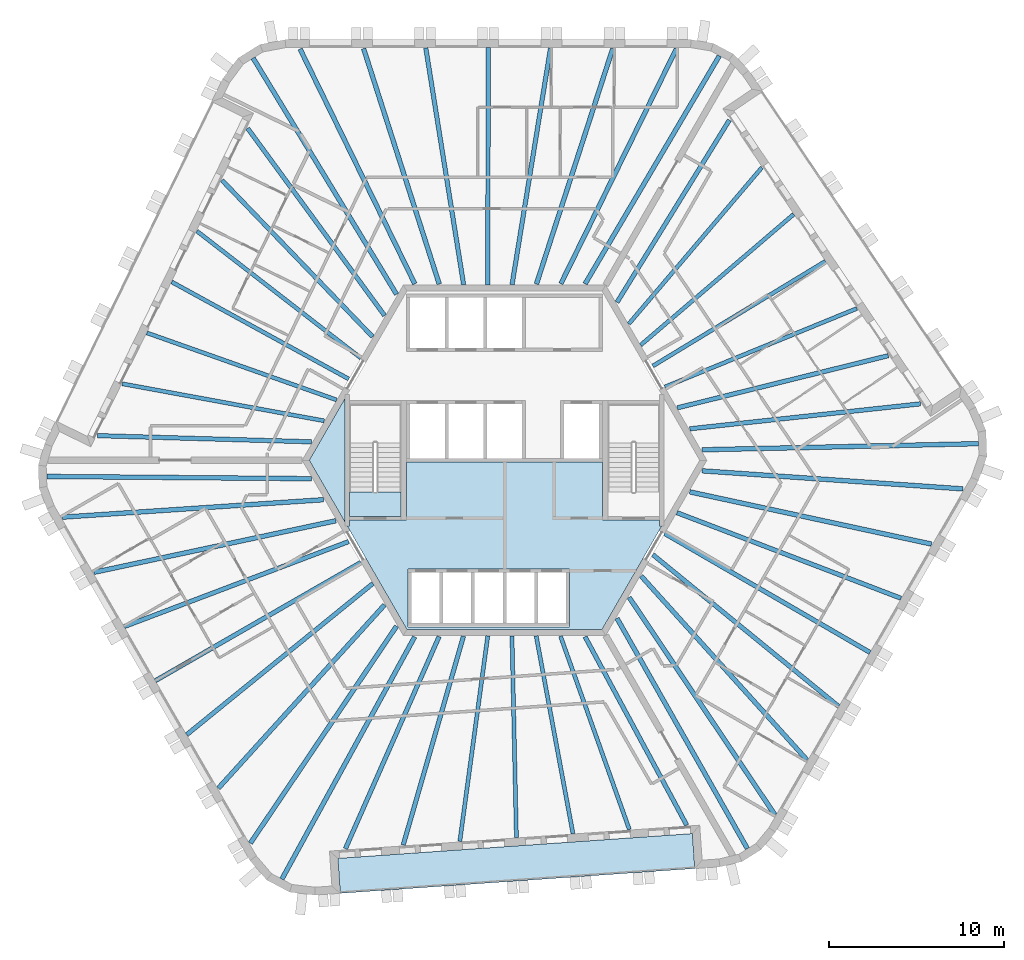
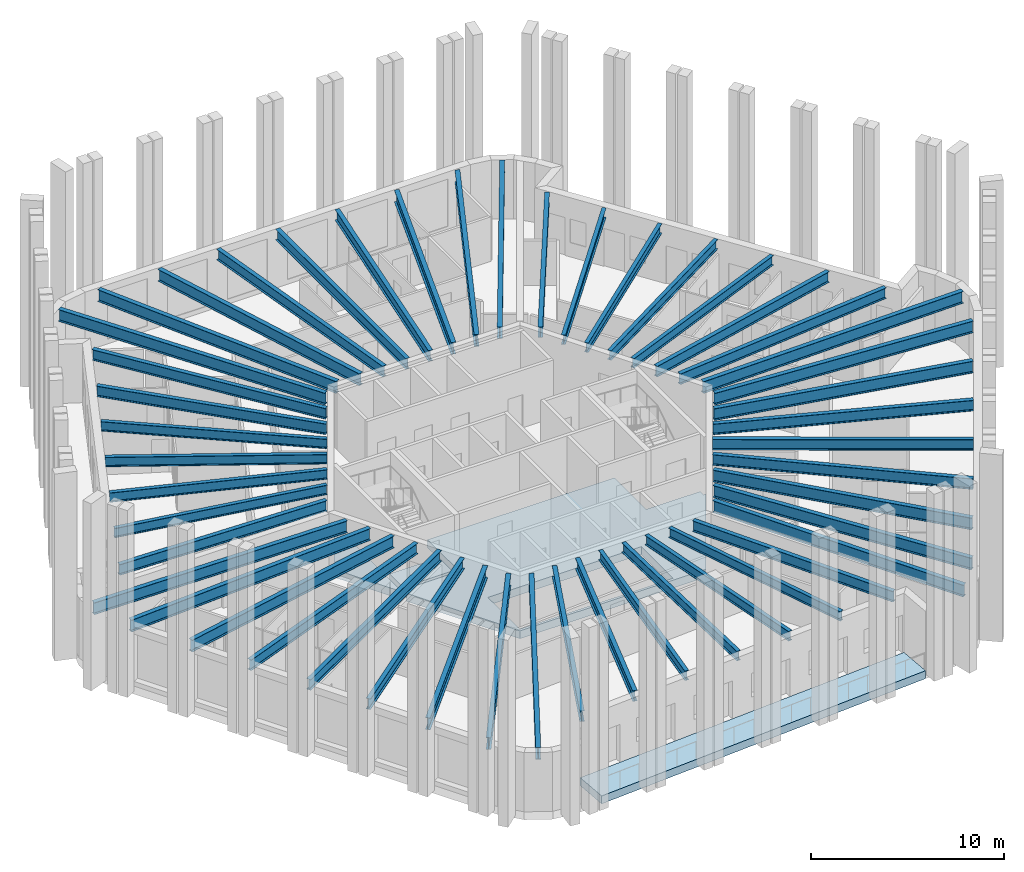
# One storey, part 1 of 12: 48 beams, 4 slabs.
"""IFC4 building model written with IfcOpenShell, lengths in metres."""

from ifc_helpers import new_model, si_unit, direction, frame, origin, origin_2d, place, context, subcontext, project, spatial, polyline, i_section, outline, extrude, material, layer, layer_set, material_profile, profile_set, type_object, element, save


model = new_model("IFC4")

# Units and contexts
model_context = context("Model", 3, precision=1e-05, world=origin(), true_north=direction((0.0, 1.0)))
body_context = subcontext(model_context, "Body", "Model", "MODEL_VIEW")
ifc_project = project(units=[si_unit("LENGTHUNIT", "METRE"), si_unit("AREAUNIT", "SQUARE_METRE"), si_unit("VOLUMEUNIT", "CUBIC_METRE"), si_unit("PLANEANGLEUNIT", "RADIAN"), si_unit("MASSUNIT", "GRAM", prefix="KILO")], contexts=[model_context])

# Site, building, storey
site_placement = place(None, origin())
site = spatial("IfcSite", under=ifc_project, at=site_placement, CompositionType="ELEMENT")
building_placement = place(site_placement, origin())
building = spatial("IfcBuilding", under=site, at=building_placement, Name="Tarnside Tower", CompositionType="ELEMENT")
storey_placement = place(building_placement, frame((0.0, 0.0, 349.5)))
storey = spatial("IfcBuildingStorey", under=building, at=storey_placement, Name="L84", CompositionType="ELEMENT", Elevation=349.5)

# Beams
ifc_material_1 = material(Name="Steel S355", Category="steel")
ifc_material_profile_1 = material_profile(ifc_material_1, i_section(OverallWidth=0.228271484375, OverallDepth=0.607666015625, WebThickness=0.010986328125, FlangeThickness=0.017333984375, FilletRadius=0.0126953125, at=origin_2d()), Name="UB 610x229x113")
ifc_profile_set_1 = profile_set([ifc_material_profile_1], Name="Steel S355")
beam_type_1 = type_object("IfcBeamType", Name="Floor beam UB 610x229x113", PredefinedType="BEAM", material=ifc_profile_set_1)
beam_1_placement = place(storey_placement, frame((-17.5537109375, 13.079345703125, 3.4462890625), z_axis=(0.790645071634, -0.612274750991, 0.0), x_axis=(0.612274750991, 0.790645071634, 0.0)))
element("IfcBeam", 1, at=beam_1_placement, inside=storey, type_object=beam_type_1, Name="Floor beam F2.03", PredefinedType="BEAM", context=body_context, shape_type="SweptSolid", body=[
    extrude(i_section(OverallWidth=0.228271484375, OverallDepth=0.607666015625, WebThickness=0.010986328125, FlangeThickness=0.017333984375, FilletRadius=0.0126953125, at=origin_2d()), origin(), (0.0, 0.0, 1.0), 11.829833984375),
])
beam_2_placement = place(storey_placement, frame((-18.98974609375, 10.1787109375, 3.4462890625), z_axis=(0.876798859106, -0.480857318412, 0.0), x_axis=(0.480857318412, 0.876798859106, 0.0)))
element("IfcBeam", 2, at=beam_2_placement, inside=storey, type_object=beam_type_1, Name="Floor beam F2.04", PredefinedType="BEAM", context=body_context, shape_type="SweptSolid", body=[
    extrude(i_section(OverallWidth=0.228271484375, OverallDepth=0.607666015625, WebThickness=0.010986328125, FlangeThickness=0.017333984375, FilletRadius=0.0126953125, at=origin_2d()), origin(), (0.0, 0.0, 1.0), 11.517578125),
])
beam_3_placement = place(storey_placement, frame((-20.408203125, 7.27099609375, 3.4462890625), z_axis=(0.942835979757, -0.33325713087, 0.0), x_axis=(0.33325713087, 0.942835979757, 0.0)))
element("IfcBeam", 3, at=beam_3_placement, inside=storey, type_object=beam_type_1, Name="Floor beam F2.05", PredefinedType="BEAM", context=body_context, shape_type="SweptSolid", body=[
    extrude(i_section(OverallWidth=0.228271484375, OverallDepth=0.607666015625, WebThickness=0.010986328125, FlangeThickness=0.017333984375, FilletRadius=0.0126953125, at=origin_2d()), origin(), (0.0, 0.0, 1.0), 11.4833984375),
])
beam_4_placement = place(storey_placement, frame((-21.80517578125, 4.3642578125, 3.4462890625), z_axis=(0.983583368825, -0.180454306048, 0.0), x_axis=(0.180454306048, 0.983583368825, 0.0)))
element("IfcBeam", 4, at=beam_4_placement, inside=storey, type_object=beam_type_1, Name="Floor beam F2.06", PredefinedType="BEAM", context=body_context, shape_type="SweptSolid", body=[
    extrude(i_section(OverallWidth=0.228271484375, OverallDepth=0.607666015625, WebThickness=0.010986328125, FlangeThickness=0.017333984375, FilletRadius=0.0126953125, at=origin_2d()), origin(), (0.0, 0.0, 1.0), 11.706787109375),
])
beam_5_placement = place(storey_placement, frame((-2.550048828125, -21.74169921875, 3.4462890625), z_axis=(0.134905991625, 0.990858402308, 0.0), x_axis=(-0.990858402308, 0.134905991625, 0.0)))
element("IfcBeam", 5, at=beam_5_placement, inside=storey, type_object=beam_type_1, Name="Floor beam F4.03", PredefinedType="BEAM", context=body_context, shape_type="SweptSolid", body=[
    extrude(i_section(OverallWidth=0.228271484375, OverallDepth=0.607666015625, WebThickness=0.010986328125, FlangeThickness=0.017333984375, FilletRadius=0.0126953125, at=origin_2d()), origin(), (0.0, 0.0, 1.0), 11.830078125),
])
beam_6_placement = place(storey_placement, frame((0.6796875, -21.53515625, 3.4462890625), z_axis=(-0.021959678074, 0.999758857195, 0.0), x_axis=(-0.999758857195, -0.021959678074, 0.0)))
element("IfcBeam", 6, at=beam_6_placement, inside=storey, type_object=beam_type_1, Name="Floor beam F4.04", PredefinedType="BEAM", context=body_context, shape_type="SweptSolid", body=[
    extrude(i_section(OverallWidth=0.228271484375, OverallDepth=0.607666015625, WebThickness=0.010986328125, FlangeThickness=0.017333984375, FilletRadius=0.0126953125, at=origin_2d()), origin(), (0.0, 0.0, 1.0), 11.517822265625),
])
beam_7_placement = place(storey_placement, frame((3.9072265625, -21.3095703125, 3.4462890625), z_axis=(-0.182818550439, 0.983146671466, 0.0), x_axis=(-0.983146671466, -0.182818550439, 0.0)))
element("IfcBeam", 7, at=beam_7_placement, inside=storey, type_object=beam_type_1, Name="Floor beam F4.05", PredefinedType="BEAM", context=body_context, shape_type="SweptSolid", body=[
    extrude(i_section(OverallWidth=0.228271484375, OverallDepth=0.607666015625, WebThickness=0.010986328125, FlangeThickness=0.017333984375, FilletRadius=0.0126953125, at=origin_2d()), origin(), (0.0, 0.0, 1.0), 11.4833984375),
])
beam_8_placement = place(storey_placement, frame((7.123046875, -21.06591796875, 3.4462890625), z_axis=(-0.335506617396, 0.94203784939, 0.0), x_axis=(-0.94203784939, -0.335506617396, 0.0)))
element("IfcBeam", 8, at=beam_8_placement, inside=storey, type_object=beam_type_1, Name="Floor beam F4.06", PredefinedType="BEAM", context=body_context, shape_type="SweptSolid", body=[
    extrude(i_section(OverallWidth=0.228271484375, OverallDepth=0.607666015625, WebThickness=0.010986328125, FlangeThickness=0.017333984375, FilletRadius=0.0126953125, at=origin_2d()), origin(), (0.0, 0.0, 1.0), 11.706787109375),
])
beam_9_placement = place(storey_placement, frame((20.10400390625, 8.662353515625, 3.4462890625), z_axis=(-0.925563720848, -0.378591862895, 0.0), x_axis=(0.378591862895, -0.925563720848, 0.0)))
element("IfcBeam", 9, at=beam_9_placement, inside=storey, type_object=beam_type_1, Name="Floor beam F6.03", PredefinedType="BEAM", context=body_context, shape_type="SweptSolid", body=[
    extrude(i_section(OverallWidth=0.228271484375, OverallDepth=0.607666015625, WebThickness=0.010986328125, FlangeThickness=0.017333984375, FilletRadius=0.0126953125, at=origin_2d()), origin(), (0.0, 0.0, 1.0), 11.830078125),
])
beam_10_placement = place(storey_placement, frame((18.31005859375, 11.356201171875, 3.4462890625), z_axis=(-0.854838892612, -0.518893503214, 0.0), x_axis=(0.518893503214, -0.854838892612, 0.0)))
element("IfcBeam", 10, at=beam_10_placement, inside=storey, type_object=beam_type_1, Name="Floor beam F6.04", PredefinedType="BEAM", context=body_context, shape_type="SweptSolid", body=[
    extrude(i_section(OverallWidth=0.228271484375, OverallDepth=0.607666015625, WebThickness=0.010986328125, FlangeThickness=0.017333984375, FilletRadius=0.0126953125, at=origin_2d()), origin(), (0.0, 0.0, 1.0), 11.517822265625),
])
beam_11_placement = place(storey_placement, frame((16.5009765625, 14.03857421875, 3.4462890625), z_axis=(-0.760013955451, -0.649906752942, 0.0), x_axis=(0.649906752942, -0.760013955451, 0.0)))
element("IfcBeam", 11, at=beam_11_placement, inside=storey, type_object=beam_type_1, Name="Floor beam F6.05", PredefinedType="BEAM", context=body_context, shape_type="SweptSolid", body=[
    extrude(i_section(OverallWidth=0.228271484375, OverallDepth=0.607666015625, WebThickness=0.010986328125, FlangeThickness=0.017333984375, FilletRadius=0.0126953125, at=origin_2d()), origin(), (0.0, 0.0, 1.0), 11.4833984375),
])
beam_12_placement = place(storey_placement, frame((14.68212890625, 16.70166015625, 3.4462890625), z_axis=(-0.648070250912, -0.761580560337, 0.0), x_axis=(0.761580560337, -0.648070250912, 0.0)))
element("IfcBeam", 12, at=beam_12_placement, inside=storey, type_object=beam_type_1, Name="Floor beam F6.06", PredefinedType="BEAM", context=body_context, shape_type="SweptSolid", body=[
    extrude(i_section(OverallWidth=0.228271484375, OverallDepth=0.607666015625, WebThickness=0.010986328125, FlangeThickness=0.017333984375, FilletRadius=0.0126953125, at=origin_2d()), origin(), (0.0, 0.0, 1.0), 11.70703125),
])
ifc_material_profile_2 = material_profile(ifc_material_1, i_section(OverallWidth=0.2529296875, OverallDepth=0.677978515625, WebThickness=0.01171875, FlangeThickness=0.01611328125, FilletRadius=0.01513671875, at=origin_2d()), Name="UB 686x254x125")
ifc_profile_set_2 = profile_set([ifc_material_profile_2], Name="Steel S355")
beam_type_2 = type_object("IfcBeamType", Name="Floor beam UB 686x254x125", PredefinedType="BEAM", material=ifc_profile_set_2)
beam_13_placement = place(storey_placement, frame((2.628662109375, 23.5302734375, 3.4111328125), z_axis=(-0.160646508519, -0.987012005652, 0.0), x_axis=(0.987012005652, -0.160646508519, 0.0)))
element("IfcBeam", 13, at=beam_13_placement, inside=storey, type_object=beam_type_2, Name="Floor beam F1.03", PredefinedType="BEAM", context=body_context, shape_type="SweptSolid", body=[
    extrude(i_section(OverallWidth=0.2529296875, OverallDepth=0.677978515625, WebThickness=0.01171875, FlangeThickness=0.01611328125, FilletRadius=0.01513671875, at=origin_2d()), origin(), (0.0, 0.0, 1.0), 13.688232421875),
])
beam_14_placement = place(storey_placement, frame((-0.931884765625, 23.550048828125, 3.4111328125), z_axis=(-0.001441413973, -0.999998961162, 0.0), x_axis=(0.999998961162, -0.001441413973, 0.0)))
element("IfcBeam", 14, at=beam_14_placement, inside=storey, type_object=beam_type_2, Name="Floor beam F1.04", PredefinedType="BEAM", context=body_context, shape_type="SweptSolid", body=[
    extrude(i_section(OverallWidth=0.2529296875, OverallDepth=0.677978515625, WebThickness=0.01171875, FlangeThickness=0.01611328125, FilletRadius=0.01513671875, at=origin_2d()), origin(), (0.0, 0.0, 1.0), 13.550048828125),
])
beam_15_placement = place(storey_placement, frame((-4.492431640625, 23.5302734375, 3.4111328125), z_axis=(0.157881934136, -0.987457996511, 0.0), x_axis=(0.987457996511, 0.157881934136, 0.0)))
element("IfcBeam", 15, at=beam_15_placement, inside=storey, type_object=beam_type_2, Name="Floor beam F1.05", PredefinedType="BEAM", context=body_context, shape_type="SweptSolid", body=[
    extrude(i_section(OverallWidth=0.2529296875, OverallDepth=0.677978515625, WebThickness=0.01171875, FlangeThickness=0.01611328125, FilletRadius=0.01513671875, at=origin_2d()), origin(), (0.0, 0.0, 1.0), 13.68212890625),
])
beam_16_placement = place(storey_placement, frame((-14.657470703125, 18.94580078125, 3.4111328125), z_axis=(0.590284711171, -0.807195118765, 0.0), x_axis=(0.807195118765, 0.590284711171, 0.0)))
element("IfcBeam", 16, at=beam_16_placement, inside=storey, type_object=beam_type_2, Name="Floor beam F2.01", PredefinedType="BEAM", context=body_context, shape_type="SweptSolid", body=[
    extrude(i_section(OverallWidth=0.2529296875, OverallDepth=0.677978515625, WebThickness=0.01171875, FlangeThickness=0.01611328125, FilletRadius=0.01513671875, at=origin_2d()), origin(), (0.0, 0.0, 1.0), 13.23974609375),
])
beam_17_placement = place(storey_placement, frame((-16.119873046875, 15.980224609375, 3.4111328125), z_axis=(0.693349119992, -0.720601830283, 0.0), x_axis=(0.720601830283, 0.693349119992, 0.0)))
element("IfcBeam", 17, at=beam_17_placement, inside=storey, type_object=beam_type_2, Name="Floor beam F2.02", PredefinedType="BEAM", context=body_context, shape_type="SweptSolid", body=[
    extrude(i_section(OverallWidth=0.2529296875, OverallDepth=0.677978515625, WebThickness=0.01171875, FlangeThickness=0.01611328125, FilletRadius=0.01513671875, at=origin_2d()), origin(), (0.0, 0.0, 1.0), 12.3984375),
])
beam_18_placement = place(storey_placement, frame((-23.22998046875, 1.406005859375, 3.4111328125), z_axis=(0.99958400974, -0.028841072664, 0.0), x_axis=(0.028841072664, 0.99958400974, 0.0)))
element("IfcBeam", 18, at=beam_18_placement, inside=storey, type_object=beam_type_2, Name="Floor beam F2.07", PredefinedType="BEAM", context=body_context, shape_type="SweptSolid", body=[
    extrude(i_section(OverallWidth=0.2529296875, OverallDepth=0.677978515625, WebThickness=0.01171875, FlangeThickness=0.01611328125, FilletRadius=0.01513671875, at=origin_2d()), origin(), (0.0, 0.0, 1.0), 12.215087890625),
])
beam_19_placement = place(storey_placement, frame((-21.692138671875, -9.48876953125, 3.4111328125), z_axis=(0.935097216102, 0.354391304124, 0.0), x_axis=(-0.354391304124, 0.935097216102, 0.0)))
element("IfcBeam", 19, at=beam_19_placement, inside=storey, type_object=beam_type_2, Name="Floor beam F3.03", PredefinedType="BEAM", context=body_context, shape_type="SweptSolid", body=[
    extrude(i_section(OverallWidth=0.2529296875, OverallDepth=0.677978515625, WebThickness=0.01171875, FlangeThickness=0.01611328125, FilletRadius=0.01513671875, at=origin_2d()), origin(), (0.0, 0.0, 1.0), 13.6884765625),
])
beam_20_placement = place(storey_placement, frame((-19.928955078125, -12.58203125, 3.4111328125), z_axis=(0.866745672107, 0.49875037833, 0.0), x_axis=(-0.49875037833, 0.866745672107, 0.0)))
element("IfcBeam", 20, at=beam_20_placement, inside=storey, type_object=beam_type_2, Name="Floor beam F3.04", PredefinedType="BEAM", context=body_context, shape_type="SweptSolid", body=[
    extrude(i_section(OverallWidth=0.2529296875, OverallDepth=0.677978515625, WebThickness=0.01171875, FlangeThickness=0.01611328125, FilletRadius=0.01513671875, at=origin_2d()), origin(), (0.0, 0.0, 1.0), 13.550048828125),
])
beam_21_placement = place(storey_placement, frame((-18.131591796875, -15.65576171875, 3.4111328125), z_axis=(0.77622369633, 0.630457590371, 0.0), x_axis=(-0.630457590371, 0.77622369633, 0.0)))
element("IfcBeam", 21, at=beam_21_placement, inside=storey, type_object=beam_type_2, Name="Floor beam F3.05", PredefinedType="BEAM", context=body_context, shape_type="SweptSolid", body=[
    extrude(i_section(OverallWidth=0.2529296875, OverallDepth=0.677978515625, WebThickness=0.01171875, FlangeThickness=0.01611328125, FilletRadius=0.01513671875, at=origin_2d()), origin(), (0.0, 0.0, 1.0), 13.68212890625),
])
beam_22_placement = place(storey_placement, frame((-9.078857421875, -22.16650390625, 3.4111328125), z_axis=(0.403913038749, 0.914797385834, 0.0), x_axis=(-0.914797385834, 0.403913038749, 0.0)))
element("IfcBeam", 22, at=beam_22_placement, inside=storey, type_object=beam_type_2, Name="Floor beam F4.01", PredefinedType="BEAM", context=body_context, shape_type="SweptSolid", body=[
    extrude(i_section(OverallWidth=0.2529296875, OverallDepth=0.677978515625, WebThickness=0.01171875, FlangeThickness=0.01611328125, FilletRadius=0.01513671875, at=origin_2d()), origin(), (0.0, 0.0, 1.0), 13.239501953125),
])
beam_23_placement = place(storey_placement, frame((-5.779296875, -21.9501953125, 3.4111328125), z_axis=(0.277391022539, 0.960757108022, 0.0), x_axis=(-0.960757108022, 0.277391022539, 0.0)))
element("IfcBeam", 23, at=beam_23_placement, inside=storey, type_object=beam_type_2, Name="Floor beam F4.02", PredefinedType="BEAM", context=body_context, shape_type="SweptSolid", body=[
    extrude(i_section(OverallWidth=0.2529296875, OverallDepth=0.677978515625, WebThickness=0.01171875, FlangeThickness=0.01611328125, FilletRadius=0.01513671875, at=origin_2d()), origin(), (0.0, 0.0, 1.0), 12.3984375),
])
beam_24_placement = place(storey_placement, frame((10.3974609375, -20.82080078125, 3.4111328125), z_axis=(-0.474802871876, 0.880092172933, 0.0), x_axis=(-0.880092172933, -0.474802871876, 0.0)))
element("IfcBeam", 24, at=beam_24_placement, inside=storey, type_object=beam_type_2, Name="Floor beam F4.07", PredefinedType="BEAM", context=body_context, shape_type="SweptSolid", body=[
    extrude(i_section(OverallWidth=0.2529296875, OverallDepth=0.677978515625, WebThickness=0.01171875, FlangeThickness=0.01611328125, FilletRadius=0.01513671875, at=origin_2d()), origin(), (0.0, 0.0, 1.0), 12.215087890625),
])
beam_25_placement = place(storey_placement, frame((19.0634765625, -14.04150390625, 3.4111328125), z_axis=(-0.774448963371, 0.632636390934, 0.0), x_axis=(-0.632636390934, -0.774448963371, 0.0)))
element("IfcBeam", 25, at=beam_25_placement, inside=storey, type_object=beam_type_2, Name="Floor beam F5.03", PredefinedType="BEAM", context=body_context, shape_type="SweptSolid", body=[
    extrude(i_section(OverallWidth=0.2529296875, OverallDepth=0.677978515625, WebThickness=0.01171875, FlangeThickness=0.01611328125, FilletRadius=0.01513671875, at=origin_2d()), origin(), (0.0, 0.0, 1.0), 13.688232421875),
])
beam_26_placement = place(storey_placement, frame((20.86083984375, -10.968017578125, 3.4111328125), z_axis=(-0.865300844595, 0.501252878639, 0.0), x_axis=(-0.501252878639, -0.865300844595, 0.0)))
element("IfcBeam", 26, at=beam_26_placement, inside=storey, type_object=beam_type_2, Name="Floor beam F5.04", PredefinedType="BEAM", context=body_context, shape_type="SweptSolid", body=[
    extrude(i_section(OverallWidth=0.2529296875, OverallDepth=0.677978515625, WebThickness=0.01171875, FlangeThickness=0.01611328125, FilletRadius=0.01513671875, at=origin_2d()), origin(), (0.0, 0.0, 1.0), 13.550048828125),
])
beam_27_placement = place(storey_placement, frame((22.6240234375, -7.87451171875, 3.4111328125), z_axis=(-0.934104171069, 0.357000556851, 0.0), x_axis=(-0.357000556851, -0.934104171069, 0.0)))
element("IfcBeam", 27, at=beam_27_placement, inside=storey, type_object=beam_type_2, Name="Floor beam F5.05", PredefinedType="BEAM", context=body_context, shape_type="SweptSolid", body=[
    extrude(i_section(OverallWidth=0.2529296875, OverallDepth=0.677978515625, WebThickness=0.01171875, FlangeThickness=0.01611328125, FilletRadius=0.01513671875, at=origin_2d()), origin(), (0.0, 0.0, 1.0), 13.68212890625),
])
beam_28_placement = place(storey_placement, frame((23.736083984375, 3.220703125, 3.4111328125), z_axis=(-0.994194525567, -0.107597608396, 0.0), x_axis=(0.107597608396, -0.994194525567, 0.0)))
element("IfcBeam", 28, at=beam_28_placement, inside=storey, type_object=beam_type_2, Name="Floor beam F6.01", PredefinedType="BEAM", context=body_context, shape_type="SweptSolid", body=[
    extrude(i_section(OverallWidth=0.2529296875, OverallDepth=0.677978515625, WebThickness=0.01171875, FlangeThickness=0.01611328125, FilletRadius=0.01513671875, at=origin_2d()), origin(), (0.0, 0.0, 1.0), 13.23974609375),
])
beam_29_placement = place(storey_placement, frame((21.899169921875, 5.969970703125, 3.4111328125), z_axis=(-0.970734945262, -0.240153421892, 0.0), x_axis=(0.240153421892, -0.970734945262, 0.0)))
element("IfcBeam", 29, at=beam_29_placement, inside=storey, type_object=beam_type_2, Name="Floor beam F6.02", PredefinedType="BEAM", context=body_context, shape_type="SweptSolid", body=[
    extrude(i_section(OverallWidth=0.2529296875, OverallDepth=0.677978515625, WebThickness=0.01171875, FlangeThickness=0.01611328125, FilletRadius=0.01513671875, at=origin_2d()), origin(), (0.0, 0.0, 1.0), 12.3984375),
])
beam_30_placement = place(storey_placement, frame((12.83251953125, 19.414794921875, 3.4111328125), z_axis=(-0.524775269126, -0.851240810179, 0.0), x_axis=(0.851240810179, -0.524775269126, 0.0)))
element("IfcBeam", 30, at=beam_30_placement, inside=storey, type_object=beam_type_2, Name="Floor beam F6.07", PredefinedType="BEAM", context=body_context, shape_type="SweptSolid", body=[
    extrude(i_section(OverallWidth=0.2529296875, OverallDepth=0.677978515625, WebThickness=0.01171875, FlangeThickness=0.01611328125, FilletRadius=0.01513671875, at=origin_2d()), origin(), (0.0, 0.0, 1.0), 12.215087890625),
])
ifc_material_profile_3 = material_profile(ifc_material_1, i_section(OverallWidth=0.26513671875, OverallDepth=0.75390625, WebThickness=0.0126953125, FlangeThickness=0.017578125, FilletRadius=0.0166015625, at=origin_2d()), Name="UB 762x267x147")
ifc_profile_set_3 = profile_set([ifc_material_profile_3], Name="Steel S355")
beam_type_3 = type_object("IfcBeamType", Name="Floor beam UB 762x267x147", PredefinedType="BEAM", material=ifc_profile_set_3)
beam_31_placement = place(storey_placement, frame((9.805419921875, 23.478271484375, 3.373046875), z_axis=(-0.441038082116, -0.897488389966, 0.0), x_axis=(0.897488389966, -0.441038082116, 0.0)))
element("IfcBeam", 31, at=beam_31_placement, inside=storey, type_object=beam_type_3, Name="Floor beam F1.01", PredefinedType="BEAM", context=body_context, shape_type="SweptSolid", body=[
    extrude(i_section(OverallWidth=0.26513671875, OverallDepth=0.75390625, WebThickness=0.0126953125, FlangeThickness=0.017578125, FilletRadius=0.0166015625, at=origin_2d()), origin(), (0.0, 0.0, 1.0), 14.937744140625),
])
beam_32_placement = place(storey_placement, frame((6.177001953125, 23.492919921875, 3.373046875), z_axis=(-0.308308550255, -0.951286412097, 0.0), x_axis=(0.951286412097, -0.308308550255, 0.0)))
element("IfcBeam", 32, at=beam_32_placement, inside=storey, type_object=beam_type_3, Name="Floor beam F1.02", PredefinedType="BEAM", context=body_context, shape_type="SweptSolid", body=[
    extrude(i_section(OverallWidth=0.26513671875, OverallDepth=0.75390625, WebThickness=0.0126953125, FlangeThickness=0.017578125, FilletRadius=0.0166015625, at=origin_2d()), origin(), (0.0, 0.0, 1.0), 14.123779296875),
])
beam_33_placement = place(storey_placement, frame((-8.041015625, 23.492919921875, 3.373046875), z_axis=(0.305833892652, -0.952084885977, 0.0), x_axis=(0.952084885977, 0.305833892652, 0.0)))
element("IfcBeam", 33, at=beam_33_placement, inside=storey, type_object=beam_type_3, Name="Floor beam F1.06", PredefinedType="BEAM", context=body_context, shape_type="SweptSolid", body=[
    extrude(i_section(OverallWidth=0.26513671875, OverallDepth=0.75390625, WebThickness=0.0126953125, FlangeThickness=0.017578125, FilletRadius=0.0166015625, at=origin_2d()), origin(), (0.0, 0.0, 1.0), 14.112060546875),
])
beam_34_placement = place(storey_placement, frame((-11.66943359375, 23.47802734375, 3.373046875), z_axis=(0.438980621391, -0.898496529789, 0.0), x_axis=(0.898496529789, 0.438980621391, 0.0)))
element("IfcBeam", 34, at=beam_34_placement, inside=storey, type_object=beam_type_3, Name="Floor beam F1.07", PredefinedType="BEAM", context=body_context, shape_type="SweptSolid", body=[
    extrude(i_section(OverallWidth=0.26513671875, OverallDepth=0.75390625, WebThickness=0.0126953125, FlangeThickness=0.017578125, FilletRadius=0.0166015625, at=origin_2d()), origin(), (0.0, 0.0, 1.0), 14.92041015625),
])
beam_35_placement = place(storey_placement, frame((-14.346435546875, 22.95361328125, 3.373046875), z_axis=(0.519050027983, -0.854743861312, 0.0), x_axis=(0.854743861312, 0.519050027983, 0.0)))
element("IfcBeam", 35, at=beam_35_placement, inside=storey, type_object=beam_type_3, Name="Floor beam C1", PredefinedType="BEAM", context=body_context, shape_type="SweptSolid", body=[
    extrude(i_section(OverallWidth=0.26513671875, OverallDepth=0.75390625, WebThickness=0.0126953125, FlangeThickness=0.017578125, FilletRadius=0.0166015625, at=origin_2d()), origin(), (0.0, 0.0, 1.0), 15.77294921875),
])
beam_36_placement = place(storey_placement, frame((-26.115234375, -0.922607421875, 3.373046875), z_axis=(0.99996409039, -0.008474546068, 0.0), x_axis=(0.008474546068, 0.99996409039, 0.0)))
element("IfcBeam", 36, at=beam_36_placement, inside=storey, type_object=beam_type_3, Name="Floor beam C2", PredefinedType="BEAM", context=body_context, shape_type="SweptSolid", body=[
    extrude(i_section(OverallWidth=0.26513671875, OverallDepth=0.75390625, WebThickness=0.0126953125, FlangeThickness=0.017578125, FilletRadius=0.0166015625, at=origin_2d()), origin(), (0.0, 0.0, 1.0), 15.095703125),
])
beam_37_placement = place(storey_placement, frame((-25.2353515625, -3.247314453125, 3.373046875), z_axis=(0.997767622241, 0.066781524448, 0.0), x_axis=(-0.066781524448, 0.997767622241, 0.0)))
element("IfcBeam", 37, at=beam_37_placement, inside=storey, type_object=beam_type_3, Name="Floor beam F3.01", PredefinedType="BEAM", context=body_context, shape_type="SweptSolid", body=[
    extrude(i_section(OverallWidth=0.26513671875, OverallDepth=0.75390625, WebThickness=0.0126953125, FlangeThickness=0.017578125, FilletRadius=0.0166015625, at=origin_2d()), origin(), (0.0, 0.0, 1.0), 14.937744140625),
])
beam_38_placement = place(storey_placement, frame((-23.43408203125, -6.39697265625, 3.373046875), z_axis=(0.977992742368, 0.208638912658, 0.0), x_axis=(-0.208638912658, 0.977992742368, 0.0)))
element("IfcBeam", 38, at=beam_38_placement, inside=storey, type_object=beam_type_3, Name="Floor beam F3.02", PredefinedType="BEAM", context=body_context, shape_type="SweptSolid", body=[
    extrude(i_section(OverallWidth=0.26513671875, OverallDepth=0.75390625, WebThickness=0.0126953125, FlangeThickness=0.017578125, FilletRadius=0.0166015625, at=origin_2d()), origin(), (0.0, 0.0, 1.0), 14.123779296875),
])
beam_39_placement = place(storey_placement, frame((-16.324951171875, -18.710205078125, 3.373046875), z_axis=(0.671613814762, 0.740901399526, 0.0), x_axis=(-0.740901399526, 0.671613814762, 0.0)))
element("IfcBeam", 39, at=beam_39_placement, inside=storey, type_object=beam_type_3, Name="Floor beam F3.06", PredefinedType="BEAM", context=body_context, shape_type="SweptSolid", body=[
    extrude(i_section(OverallWidth=0.26513671875, OverallDepth=0.75390625, WebThickness=0.0126953125, FlangeThickness=0.017578125, FilletRadius=0.0166015625, at=origin_2d()), origin(), (0.0, 0.0, 1.0), 14.112060546875),
])
beam_40_placement = place(storey_placement, frame((-14.497802734375, -21.84521484375, 3.373046875), z_axis=(0.558632311738, 0.829415420813, 0.0), x_axis=(-0.829415420813, 0.558632311738, 0.0)))
element("IfcBeam", 40, at=beam_40_placement, inside=storey, type_object=beam_type_3, Name="Floor beam F3.07", PredefinedType="BEAM", context=body_context, shape_type="SweptSolid", body=[
    extrude(i_section(OverallWidth=0.26513671875, OverallDepth=0.75390625, WebThickness=0.0126953125, FlangeThickness=0.017578125, FilletRadius=0.0166015625, at=origin_2d()), origin(), (0.0, 0.0, 1.0), 14.920654296875),
])
beam_41_placement = place(storey_placement, frame((-12.705322265625, -23.9013671875, 3.373046875), z_axis=(0.480710922029, 0.876879130463, 0.0), x_axis=(-0.876879130463, 0.480710922029, 0.0)))
element("IfcBeam", 41, at=beam_41_placement, inside=storey, type_object=beam_type_3, Name="Floor beam C3", PredefinedType="BEAM", context=body_context, shape_type="SweptSolid", body=[
    extrude(i_section(OverallWidth=0.26513671875, OverallDepth=0.75390625, WebThickness=0.0126953125, FlangeThickness=0.017578125, FilletRadius=0.0166015625, at=origin_2d()), origin(), (0.0, 0.0, 1.0), 15.77294921875),
])
beam_42_placement = place(storey_placement, frame((13.856689453125, -22.155029296875, 3.373046875), z_axis=(-0.492642822233, 0.870231606931, 0.0), x_axis=(-0.870231606931, -0.492642822233, 0.0)))
element("IfcBeam", 42, at=beam_42_placement, inside=storey, type_object=beam_type_3, Name="Floor beam C4", PredefinedType="BEAM", context=body_context, shape_type="SweptSolid", body=[
    extrude(i_section(OverallWidth=0.26513671875, OverallDepth=0.75390625, WebThickness=0.0126953125, FlangeThickness=0.017578125, FilletRadius=0.0166015625, at=origin_2d()), origin(), (0.0, 0.0, 1.0), 15.095703125),
])
beam_43_placement = place(storey_placement, frame((15.429931640625, -20.23095703125, 3.373046875), z_axis=(-0.556705108381, 0.830710191524, 0.0), x_axis=(-0.830710191524, -0.556705108381, 0.0)))
element("IfcBeam", 43, at=beam_43_placement, inside=storey, type_object=beam_type_3, Name="Floor beam F5.01", PredefinedType="BEAM", context=body_context, shape_type="SweptSolid", body=[
    extrude(i_section(OverallWidth=0.26513671875, OverallDepth=0.75390625, WebThickness=0.0126953125, FlangeThickness=0.017578125, FilletRadius=0.0166015625, at=origin_2d()), origin(), (0.0, 0.0, 1.0), 14.937744140625),
])
beam_44_placement = place(storey_placement, frame((17.257080078125, -17.095947265625, 3.373046875), z_axis=(-0.669693076209, 0.742637989654, 0.0), x_axis=(-0.742637989654, -0.669693076209, 0.0)))
element("IfcBeam", 44, at=beam_44_placement, inside=storey, type_object=beam_type_3, Name="Floor beam F5.02", PredefinedType="BEAM", context=body_context, shape_type="SweptSolid", body=[
    extrude(i_section(OverallWidth=0.26513671875, OverallDepth=0.75390625, WebThickness=0.0126953125, FlangeThickness=0.017578125, FilletRadius=0.0166015625, at=origin_2d()), origin(), (0.0, 0.0, 1.0), 14.1240234375),
])
beam_45_placement = place(storey_placement, frame((24.365966796875, -4.78271484375, 3.373046875), z_axis=(-0.977446315909, 0.211184041811, 0.0), x_axis=(-0.211184041811, -0.977446315909, 0.0)))
element("IfcBeam", 45, at=beam_45_placement, inside=storey, type_object=beam_type_3, Name="Floor beam F5.06", PredefinedType="BEAM", context=body_context, shape_type="SweptSolid", body=[
    extrude(i_section(OverallWidth=0.26513671875, OverallDepth=0.75390625, WebThickness=0.0126953125, FlangeThickness=0.017578125, FilletRadius=0.0166015625, at=origin_2d()), origin(), (0.0, 0.0, 1.0), 14.112060546875),
])
beam_46_placement = place(storey_placement, frame((26.16748046875, -1.633056640625, 3.373046875), z_axis=(-0.99760979709, 0.069099151587, 0.0), x_axis=(-0.069099151587, -0.99760979709, 0.0)))
element("IfcBeam", 46, at=beam_46_placement, inside=storey, type_object=beam_type_3, Name="Floor beam F5.07", PredefinedType="BEAM", context=body_context, shape_type="SweptSolid", body=[
    extrude(i_section(OverallWidth=0.26513671875, OverallDepth=0.75390625, WebThickness=0.0126953125, FlangeThickness=0.017578125, FilletRadius=0.0166015625, at=origin_2d()), origin(), (0.0, 0.0, 1.0), 14.920654296875),
])
beam_47_placement = place(storey_placement, frame((27.0517578125, 0.947509765625, 3.373046875), z_axis=(-0.999755015591, -0.022133883549, 0.0), x_axis=(0.022133883549, -0.999755015591, 0.0)))
element("IfcBeam", 47, at=beam_47_placement, inside=storey, type_object=beam_type_3, Name="Floor beam C5", PredefinedType="BEAM", context=body_context, shape_type="SweptSolid", body=[
    extrude(i_section(OverallWidth=0.26513671875, OverallDepth=0.75390625, WebThickness=0.0126953125, FlangeThickness=0.017578125, FilletRadius=0.0166015625, at=origin_2d()), origin(), (0.0, 0.0, 1.0), 15.773193359375),
])
beam_48_placement = place(storey_placement, frame((12.258544921875, 23.07763671875, 3.373046875), z_axis=(-0.507326131491, -0.861754139129, 0.0), x_axis=(0.861754139129, -0.507326131491, 0.0)))
element("IfcBeam", 48, at=beam_48_placement, inside=storey, type_object=beam_type_3, Name="Floor beam C6", PredefinedType="BEAM", context=body_context, shape_type="SweptSolid", body=[
    extrude(i_section(OverallWidth=0.26513671875, OverallDepth=0.75390625, WebThickness=0.0126953125, FlangeThickness=0.017578125, FilletRadius=0.0166015625, at=origin_2d()), origin(), (0.0, 0.0, 1.0), 15.095703125),
])

# Slabs
ifc_material_2 = material(Name="Concrete C60/75", Category="concrete")
ifc_layer_1 = layer(ifc_material_2, 0.5)
ifc_layer_set_1 = layer_set([ifc_layer_1], Name="Core transfer slab C60/75")
slab_type_1 = type_object("IfcSlabType", Name="Core transfer slab C60/75", PredefinedType="FLOOR", material=ifc_layer_set_1)
slab_1_placement = place(storey_placement, frame((0.0, 0.0, -0.5)))
element("IfcSlab", 49, at=slab_1_placement, inside=storey, type_object=slab_type_1, Name="L84 core floor slab 2", PredefinedType="FLOOR", context=body_context, shape_type="SweptSolid", body=[
    extrude(outline(polyline([(5.60009765625, -0.10009765625), (5.60009765625, -3.39990234375), (5.89990234375, -3.39990234375), (8.85009765625, -3.39990234375), (8.85009765625, -3.7548828125), (8.97509765625, -3.7548828125), (5.5712890625, -9.64990234375), (-5.5712890625, -9.64990234375), (-8.97509765625, -3.7548828125), (-8.85009765625, -3.7548828125), (-8.85009765625, -3.39990234375), (-5.89990234375, -3.39990234375), (-5.60009765625, -3.39990234375), (-5.60009765625, -0.10009765625), (5.60009765625, -0.10009765625)]), holes=[polyline([(-5.5, -9.5), (3.699951171875, -9.5), (3.699951171875, -9.300048828125), (3.699951171875, -6.39990234375), (3.699951171875, -6.199951171875), (-5.5, -6.199951171875), (-5.5, -6.39990234375), (-5.5, -9.300048828125), (-5.5, -9.5)])]), origin(), (0.0, 0.0, 1.0), 0.5),
])
slab_2_placement = place(storey_placement, frame((0.0, 0.0, -0.5)))
element("IfcSlab", 50, at=slab_2_placement, inside=storey, type_object=slab_type_1, Name="L84 core floor slab 3", PredefinedType="FLOOR", context=body_context, shape_type="SweptSolid", body=[
    extrude(outline(polyline([(-11.142822265625, 0.0), (-9.10009765625, 3.538330078125), (-9.10009765625, -3.538330078125), (-11.142822265625, 0.0)])), origin(), (0.0, 0.0, 1.0), 0.5),
])
slab_3_placement = place(storey_placement, frame((0.0, 0.0, -0.5)))
element("IfcSlab", 51, at=slab_3_placement, inside=storey, type_object=slab_type_1, Name="L84 core floor slab 4", PredefinedType="FLOOR", context=body_context, shape_type="SweptSolid", body=[
    extrude(outline(polyline([(-8.85009765625, -3.199951171875), (-8.85009765625, -1.800048828125), (-5.89990234375, -1.800048828125), (-5.89990234375, -3.199951171875), (-8.85009765625, -3.199951171875)])), origin(), (0.0, 0.0, 1.0), 0.5),
])
ifc_material_3 = material(Name="Timber decking", Category="wood")
ifc_layer_2 = layer(ifc_material_3, 0.0400390625)
ifc_material_4 = material(Name="Concrete C60/75 precast", Category="concrete")
ifc_layer_3 = layer(ifc_material_4, 0.4599609375)
ifc_layer_set_2 = layer_set([ifc_layer_2, ifc_layer_3], Name="Loggia deck 500")
slab_type_2 = type_object("IfcSlabType", Name="Loggia deck 500", PredefinedType="FLOOR", material=ifc_layer_set_2)
slab_4_placement = place(storey_placement, frame((0.0, 0.0, -0.5)))
element("IfcSlab", 52, at=slab_4_placement, inside=storey, type_object=slab_type_2, Name="Loggia deck L84 F4", PredefinedType="FLOOR", context=body_context, shape_type="SweptSolid", body=[
    extrude(outline(polyline([(-9.5107421875, -22.71875), (10.721435546875, -21.303955078125), (10.86083984375, -23.299072265625), (-9.371337890625, -24.7138671875), (-9.5107421875, -22.71875)])), origin(), (0.0, 0.0, 1.0), 0.5),
])

save(model, "model.ifc")
